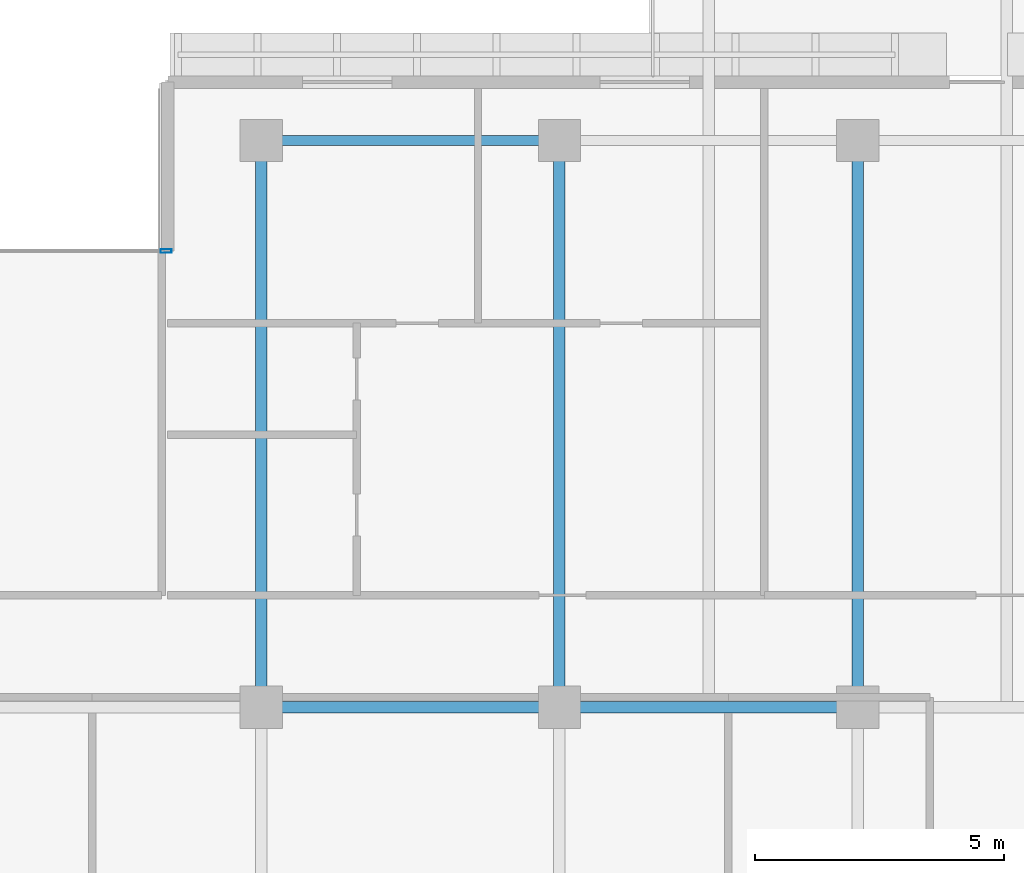
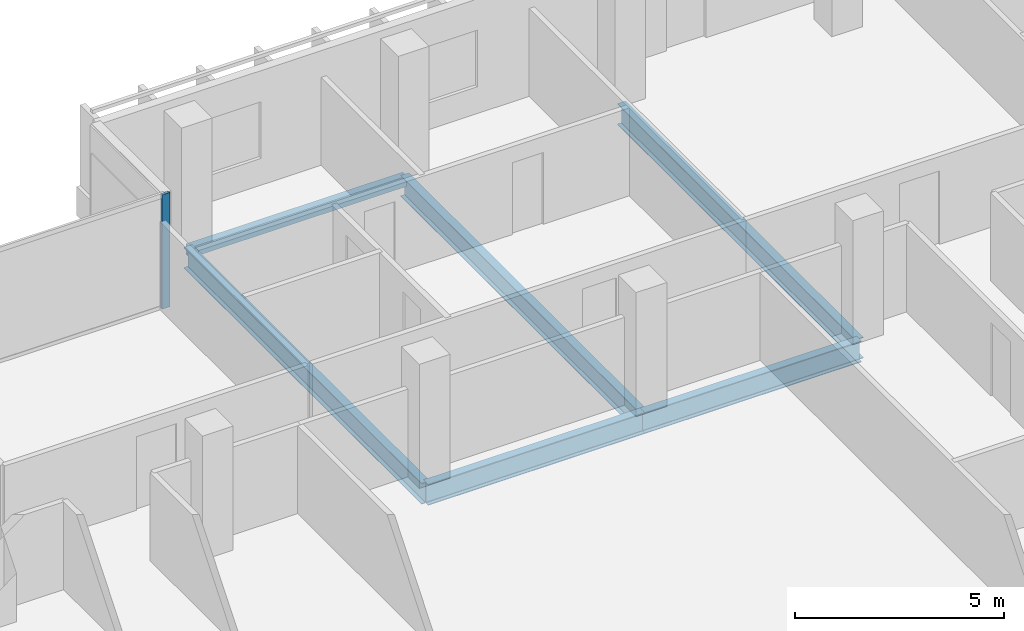
# One storey, part 11 of 31: 6 beams, 1 member, 1 element without a shape of its own.
"""IFC4 building model written with IfcOpenShell, lengths in metres."""

from ifc_helpers import new_model, si_unit, direction, frame, origin, origin_2d, place, context, subcontext, project, spatial, hollow_rectangle, i_section, extrude, material, layer, layer_set, material_profile, profile_set, type_object, element, aggregate, save


model = new_model("IFC4")

# Units and contexts
model_context = context("Model", 3, precision=1e-05, world=origin(), true_north=direction((0.0, 1.0)))
body_context = subcontext(model_context, "Body", "Model", "MODEL_VIEW")
ifc_project = project(units=[si_unit("LENGTHUNIT", "METRE"), si_unit("AREAUNIT", "SQUARE_METRE"), si_unit("VOLUMEUNIT", "CUBIC_METRE"), si_unit("PLANEANGLEUNIT", "RADIAN"), si_unit("MASSUNIT", "GRAM", prefix="KILO")], contexts=[model_context])

# Site, building, storey
site_placement = place(None, origin())
site = spatial("IfcSite", under=ifc_project, at=site_placement, CompositionType="ELEMENT")
building_placement = place(site_placement, origin())
building = spatial("IfcBuilding", under=site, at=building_placement, Name="Tanjung Sevakor Pilgrim Tower", CompositionType="ELEMENT")
storey_placement = place(building_placement, frame((0.0, 0.0, 169.2900390625)))
storey = spatial("IfcBuildingStorey", under=building, at=storey_placement, Name="L47", CompositionType="ELEMENT", Elevation=169.2900390625)

# Beams
ifc_material_1 = material(Name="Steel S355J2", Category="steel")
ifc_material_profile_1 = material_profile(ifc_material_1, i_section(OverallWidth=0.230224609375, OverallDepth=0.6171875, WebThickness=0.01318359375, FlangeThickness=0.022216796875, FilletRadius=0.0126953125, at=origin_2d()))
ifc_profile_set_1 = profile_set([ifc_material_profile_1], Name="Steel S355J2")
beam_type_1 = type_object("IfcBeamType", Name="BM-B-G3-UB_610x229x140", PredefinedType="BEAM", material=ifc_profile_set_1)
for number, where, z_axis, x_axis, name in (
    (1, (54.0, 42.60009765625, -0.528564453125), (1.0, 0.0, 0.0), (0.0, 1.0, 0.0), "L47 Primary Floor Girder MAIN Y426-04"),
    (2, (60.0, 42.60009765625, -0.528564453125), (1.0, 0.0, 0.0), (0.0, 1.0, 0.0), "L47 Primary Floor Girder MAIN Y426-05"),
):
    element("IfcBeam", number, at=place(storey_placement, frame(where, z_axis=z_axis, x_axis=x_axis)), inside=storey, type_object=beam_type_1, Name=name, PredefinedType="BEAM", context=body_context, shape_type="SweptSolid", body=[
        extrude(i_section(OverallWidth=0.230224609375, OverallDepth=0.6171875, WebThickness=0.01318359375, FlangeThickness=0.022216796875, FilletRadius=0.0126953125, at=origin_2d()), origin(), (0.0, 0.0, 1.0), 6.0),
    ])
ifc_material_2 = material(Name="Steel S355J2", Category="steel")
ifc_material_profile_2 = material_profile(ifc_material_2, i_section(OverallWidth=0.22900390625, OverallDepth=0.6123046875, WebThickness=0.011962890625, FlangeThickness=0.01953125, FilletRadius=0.0126953125, at=origin_2d()))
ifc_profile_set_2 = profile_set([ifc_material_profile_2], Name="Steel S355J2")
beam_type_2 = type_object("IfcBeamType", Name="BM-B-G4-UB_610x229x125", PredefinedType="BEAM", material=ifc_profile_set_2)
for number, where, z_axis, x_axis, name in (
    (3, (54.0, 42.60009765625, -0.526123046875), (0.0, 1.0, 0.0), (-1.0, 0.0, 0.0), "L47 MAIN Girder 011"),
    (4, (60.0, 42.60009765625, -0.526123046875), (0.0, 1.0, 0.0), (-1.0, 0.0, 0.0), "L47 MAIN Girder 014"),
    (5, (66.0, 42.60009765625, -0.526123046875), (0.0, 1.0, 0.0), (-1.0, 0.0, 0.0), "L47 MAIN Girder 017"),
):
    element("IfcBeam", number, at=place(storey_placement, frame(where, z_axis=z_axis, x_axis=x_axis)), inside=storey, type_object=beam_type_2, Name=name, PredefinedType="BEAM", context=body_context, shape_type="SweptSolid", body=[
        extrude(i_section(OverallWidth=0.22900390625, OverallDepth=0.6123046875, WebThickness=0.011962890625, FlangeThickness=0.01953125, FilletRadius=0.0126953125, at=origin_2d()), origin(), (0.0, 0.0, 1.0), 11.39990234375),
    ])
ifc_material_3 = material(Name="Steel S355J2", Category="steel")
ifc_material_profile_3 = material_profile(ifc_material_3, hollow_rectangle(XDim=0.199951171875, YDim=0.300048828125, WallThickness=0.012451171875, at=origin_2d()))
ifc_profile_set_3 = profile_set([ifc_material_profile_3], Name="Steel S355J2")
beam_type_3 = type_object("IfcBeamType", Name="BM-B-SP3-RHS_300x200x12.5", PredefinedType="SPANDREL", material=ifc_profile_set_3)
beam_placement = place(storey_placement, frame((54.0, 54.0, -0.3701171875), z_axis=(1.0, 0.0, 0.0), x_axis=(0.0, 1.0, 0.0)))
element("IfcBeam", 6, at=beam_placement, inside=storey, type_object=beam_type_3, Name="L47 Spandrel MAIN N-08", PredefinedType="SPANDREL", context=body_context, shape_type="SweptSolid", body=[
    extrude(hollow_rectangle(XDim=0.199951171875, YDim=0.300048828125, WallThickness=0.012451171875, at=origin_2d()), origin(), (0.0, 0.0, 1.0), 6.0),
])

# Curtain wall, member
ifc_material_4 = material(Name="Aluminium 6063-T6 and Low-E Glass", Category="aluminium")
ifc_layer = layer(ifc_material_4, 0.179931640625)
ifc_layer_set = layer_set([ifc_layer], Name="CW-SYS-CLEFT")
curtain_wall_type = type_object("IfcCurtainWallType", Name="CW-SYS-CLEFT", PredefinedType="NOTDEFINED", material=ifc_layer_set)
curtain_wall_placement = place(storey_placement, origin())
curtain_wall = element("IfcCurtainWall", 7, at=curtain_wall_placement, inside=storey, type_object=curtain_wall_type, Name="L47 Curtain Wall CW-CLF-L47-10", PredefinedType="NOTDEFINED")
ifc_material_5 = material(Name="Aluminium 6063-T6", Category="aluminium")
ifc_material_profile_4 = material_profile(ifc_material_5, hollow_rectangle(XDim=0.074951171875, YDim=0.219970703125, WallThickness=0.0048828125, at=origin_2d()))
ifc_profile_set_4 = profile_set([ifc_material_profile_4], Name="Aluminium 6063-T6")
member_type = type_object("IfcMemberType", Name="TYPE-CWM-2", PredefinedType="MULLION", material=ifc_profile_set_4)
member_placement = place(storey_placement, frame((52.08740234375, 51.77490234375, 0.0), z_axis=(0.0, 0.0, 1.0), x_axis=(0.0, -1.0, 0.0)))
member = element("IfcMember", 8, at=member_placement, type_object=member_type, Name="CW-CLF mullion 1", PredefinedType="MULLION", context=body_context, shape_type="SweptSolid", body=[
    extrude(hollow_rectangle(XDim=0.074951171875, YDim=0.219970703125, WallThickness=0.0048828125, at=origin_2d()), origin(), (0.0, 0.0, 1.0), 3.349853515625),
])
aggregate(curtain_wall, [member])

save(model, "model.ifc")
